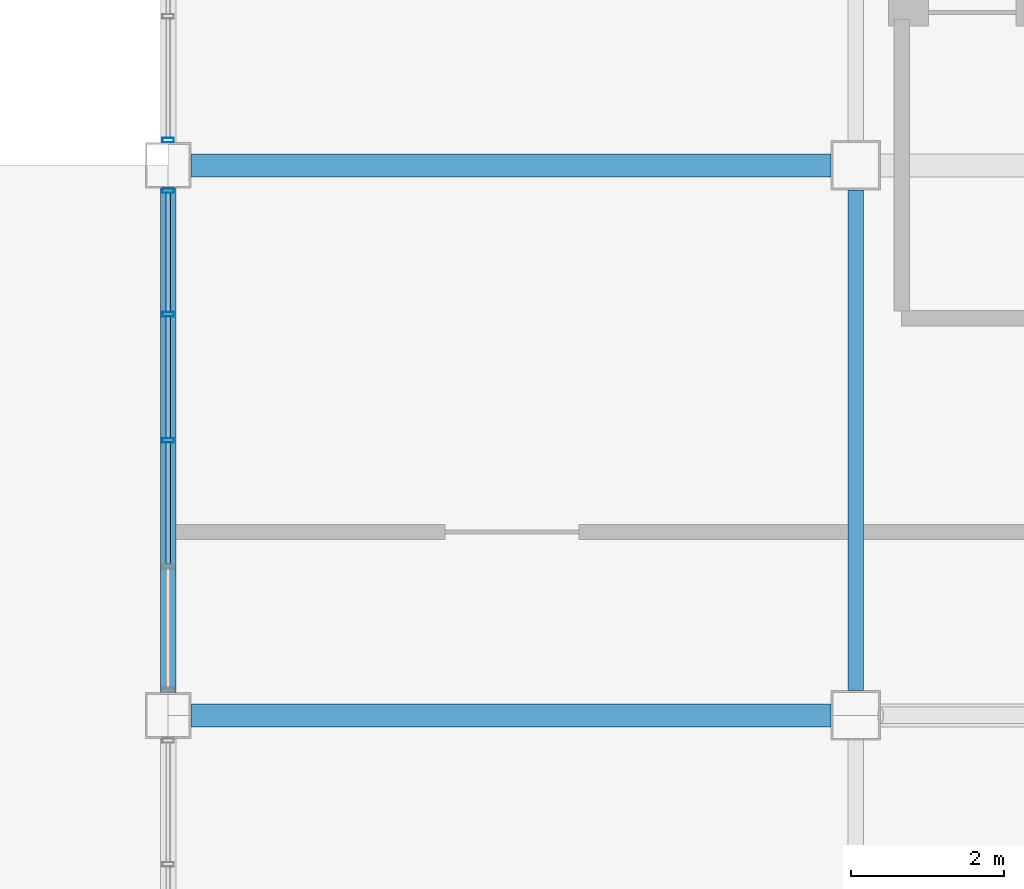
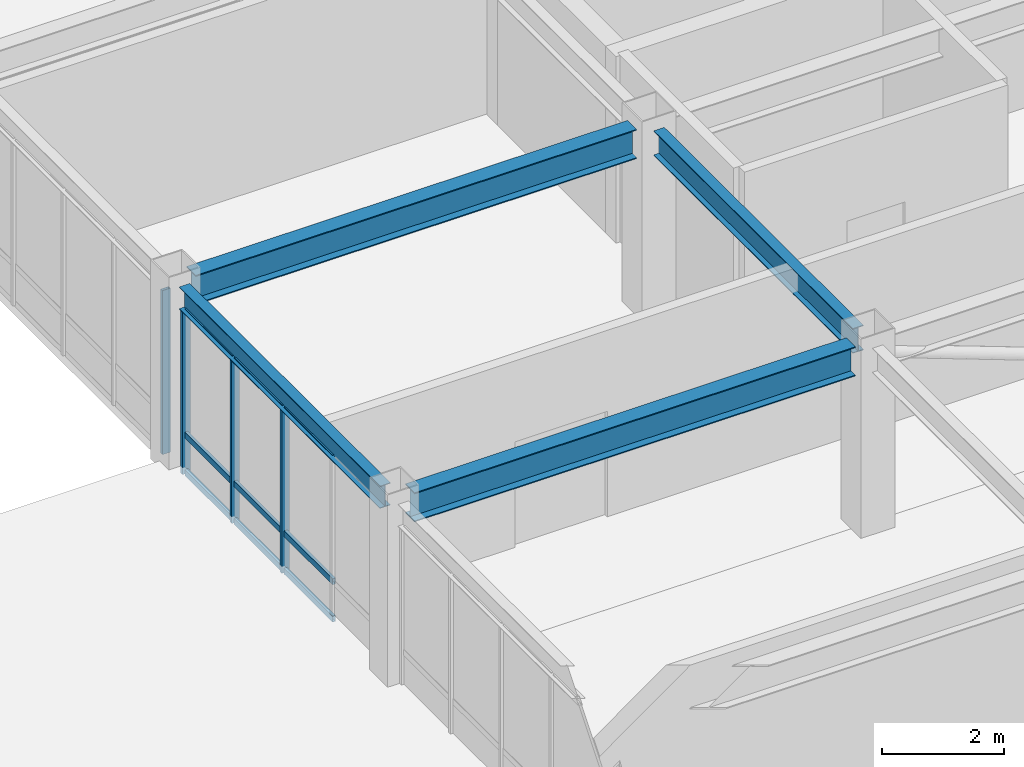
# One storey, part 76 of 113: 13 members, 4 beams, 2 elements without a shape of their own.
"""IFC4 building model written with IfcOpenShell, lengths in metres."""

import ifcopenshell
import ifcopenshell.guid

model = None  # the IFC model being written
_history = None  # IfcOwnerHistory: only IFC2X3 demands one
_inside = {}  # id of a spatial element -> (the spatial element, [elements in it])
_under = {}  # id of a project, library or spatial element -> (it, [spatial elements below it])
_declared = {}  # id of a project -> (the project, [libraries it declares])
_typed = {}  # id of a type object -> (the type object, [elements of that type])
_made_of = {}  # id of a material, layer set ... -> (it, [elements and type objects made of it])


def new_model(schema):
    """Start an empty IFC model of exactly this schema.

    Asked for "IFC4X3", IfcOpenShell would pick the latest addendum, in which some entities
    have other attributes; the version numbers below select the first issue.
    IFC2X3 requires an IfcOwnerHistory on every rooted entity: one is made here for all.
    """
    global model, _history
    if schema == "IFC4X3":
        model = ifcopenshell.file(schema_version=(4, 3, 0, 0))
    else:
        model = ifcopenshell.file(schema=schema)
    _inside.clear()
    _under.clear()
    _declared.clear()
    _typed.clear()
    _made_of.clear()
    _history = None
    if model.schema == "IFC2X3":
        org = make("IfcOrganization", Name="unknown")
        user = make(
            "IfcPersonAndOrganization",
            ThePerson=make("IfcPerson", FamilyName="unknown"),
            TheOrganization=org,
        )
        app = make(
            "IfcApplication",
            ApplicationDeveloper=org,
            Version="unknown",
            ApplicationFullName="unknown",
            ApplicationIdentifier="unknown",
        )
        _history = make(
            "IfcOwnerHistory",
            OwningUser=user,
            OwningApplication=app,
            ChangeAction="ADDED",
            CreationDate=0,
        )
    return model


def make(cls, **values):
    """One entity of the class cls with the attributes given. An attribute that is None is left unset."""
    return model.create_entity(
        cls, **{name: value for name, value in values.items() if value is not None}
    )


def rooted(cls, **values):
    """An entity with a GlobalId (a new one), such as an element, a storey or a relation."""
    return make(cls, GlobalId=ifcopenshell.guid.new(), OwnerHistory=_history, **values)


def si_unit(unit_type, name, prefix=None):
    """IfcSIUnit, for example si_unit("LENGTHUNIT", "METRE", prefix="MILLI")."""
    return make("IfcSIUnit", UnitType=unit_type, Prefix=prefix, Name=name)


def assignment(units):
    """IfcUnitAssignment: the units of a project."""
    return None if units is None else make("IfcUnitAssignment", Units=units)


def point(xyz):
    """IfcCartesianPoint."""
    return None if xyz is None else make("IfcCartesianPoint", Coordinates=xyz)


def direction(xyz):
    """IfcDirection."""
    return None if xyz is None else make("IfcDirection", DirectionRatios=xyz)


def frame(location, z_axis=None, x_axis=None):
    """IfcAxis2Placement3D, a coordinate frame: its origin and axes. An axis left out is left unset."""
    return make(
        "IfcAxis2Placement3D",
        Location=point(location),
        Axis=direction(z_axis),
        RefDirection=direction(x_axis),
    )


def frame_2d(location, x_axis=None):
    """IfcAxis2Placement2D, a coordinate frame in the plane: its origin and x axis."""
    return make(
        "IfcAxis2Placement2D", Location=point(location), RefDirection=direction(x_axis)
    )


def origin():
    """The frame at (0, 0, 0) with its axes left unset."""
    return frame((0.0, 0.0, 0.0))


def origin_2d():
    """The frame at (0, 0) in the plane with its x axis left unset."""
    return frame_2d((0.0, 0.0))


def place(relative_to, where):
    """IfcLocalPlacement: puts the frame where relative to a parent placement (None: the world)."""
    return make(
        "IfcLocalPlacement", PlacementRelTo=relative_to, RelativePlacement=where
    )


def context(
    kind, dimensions, precision=None, world=None, true_north=None, identifier=None
):
    """IfcGeometricRepresentationContext, for example the 3D "Model" context."""
    return make(
        "IfcGeometricRepresentationContext",
        ContextIdentifier=identifier,
        ContextType=kind,
        CoordinateSpaceDimension=dimensions,
        Precision=precision,
        WorldCoordinateSystem=world,
        TrueNorth=true_north,
    )


def subcontext(parent, identifier, kind, view, scale=None):
    """IfcGeometricRepresentationSubContext, for example "Body" below "Model"."""
    return make(
        "IfcGeometricRepresentationSubContext",
        ContextIdentifier=identifier,
        ContextType=kind,
        ParentContext=parent,
        TargetScale=scale,
        TargetView=view,
    )


def project(units=None, contexts=None):
    """IfcProject with its units and contexts."""
    return rooted(
        "IfcProject",
        Name="project",
        RepresentationContexts=contexts,
        UnitsInContext=assignment(units),
    )


def spatial(cls, under=None, at=None, **own):
    """A site, building, storey or space (cls), placed at a placement, below another one or the project."""
    s = rooted(cls, ObjectPlacement=at, **own)
    if under is not None:
        _under.setdefault(under.id(), (under, []))[1].append(s)
    return s


def profile(cls, at=None, kind="AREA", **sizes):
    """A parametric profile (cls). Its sizes go by their IFC names, for example OverallWidth=200.0."""
    return make(cls, ProfileType=kind, Position=at, **sizes)


def hollow_rectangle(**sizes):
    """IfcRectangleHollowProfileDef."""
    return profile("IfcRectangleHollowProfileDef", **sizes)


def i_section(**sizes):
    """IfcIShapeProfileDef."""
    return profile("IfcIShapeProfileDef", **sizes)


def extrude(swept, where, along, depth):
    """IfcExtrudedAreaSolid: the profile swept, set in the frame where, extruded along a direction by depth."""
    return make(
        "IfcExtrudedAreaSolid",
        SweptArea=swept,
        Position=where,
        ExtrudedDirection=direction(along),
        Depth=depth,
    )


def shape(context_of_items, identifier, shape_type, items):
    """IfcShapeRepresentation: the items that make up one representation, for example the "Body"."""
    return make(
        "IfcShapeRepresentation",
        ContextOfItems=context_of_items,
        RepresentationIdentifier=identifier,
        RepresentationType=shape_type,
        Items=items,
    )


def material(Name=None, Category=None):
    """IfcMaterial."""
    return make("IfcMaterial", Name=Name, Category=Category)


def material_profile(
    of_material, cross_section, Name=None, Category=None, Priority=None
):
    """IfcMaterialProfile: a cross section and its material."""
    return make(
        "IfcMaterialProfile",
        Name=Name,
        Material=of_material,
        Profile=cross_section,
        Priority=Priority,
        Category=Category,
    )


def profile_set(profiles, Name=None, composite=None):
    """IfcMaterialProfileSet."""
    return make(
        "IfcMaterialProfileSet",
        Name=Name,
        MaterialProfiles=profiles,
        CompositeProfile=composite,
    )


def made_of(thing, what):
    """Note that an element or type object is made of a material, layer set ...; save() writes the relation."""
    if what is not None:
        _made_of.setdefault(what.id(), (what, []))[1].append(thing)
    return thing


def type_object(cls, material=None, **own):
    """A type object (cls), such as IfcWallType, which elements share."""
    return made_of(rooted(cls, **own), material)


def element(
    cls,
    number,
    at=None,
    inside=None,
    cuts=None,
    type_object=None,
    material=None,
    context=None,
    identifier="Body",
    shape_type=None,
    held_by="IfcProductDefinitionShape",
    body=None,
    shapes=None,
    **own,
):
    """One element of the class cls, such as IfcWall. Its Tag is "e" and its number.

    at: its placement. inside: the storey or other place that contains it. cuts: it is an
    opening in that element (IfcRelVoidsElement). A single representation is given by context,
    identifier, shape_type and body (its items); several are given by shapes. held_by: the class
    of the entity that holds the representations. save() writes the other relations.
    """
    e = rooted(cls, Tag="e%d" % number, ObjectPlacement=at, **own)
    if body is not None:
        shapes = [shape(context, identifier, shape_type, body)]
    if shapes is not None:
        e.Representation = make(held_by, Representations=shapes)
    if inside is not None:
        _inside.setdefault(inside.id(), (inside, []))[1].append(e)
    if cuts is not None:
        rooted(
            "IfcRelVoidsElement", RelatingBuildingElement=cuts, RelatedOpeningElement=e
        )
    if type_object is not None:
        _typed.setdefault(type_object.id(), (type_object, []))[1].append(e)
    return made_of(e, material)


def aggregate(whole, parts):
    """IfcRelAggregates: a whole, such as a stair, and the parts it consists of."""
    return rooted("IfcRelAggregates", RelatingObject=whole, RelatedObjects=parts)


def save(model, path):
    """Write the relations noted so far, then the file.

    IfcRelAggregates (storeys below a building ...), IfcRelContainedInSpatialStructure (elements
    in a storey), IfcRelDefinesByType, IfcRelAssociatesMaterial and IfcRelDeclares: one each for
    every whole, place, type object, material and project.
    """
    for whole, parts in _under.values():
        aggregate(whole, parts)
    for where, things in _inside.values():
        rooted(
            "IfcRelContainedInSpatialStructure",
            RelatedElements=things,
            RelatingStructure=where,
        )
    for kind, things in _typed.values():
        rooted("IfcRelDefinesByType", RelatedObjects=things, RelatingType=kind)
    for what, things in _made_of.values():
        rooted("IfcRelAssociatesMaterial", RelatedObjects=things, RelatingMaterial=what)
    for by, libraries in _declared.values():
        rooted("IfcRelDeclares", RelatingContext=by, RelatedDefinitions=libraries)
    model.write(path)


model = new_model("IFC4")

# Units and contexts
model_context = context("Model", 3, precision=1e-05, world=origin(), true_north=direction((0.0, 1.0)))
body_context = subcontext(model_context, "Body", "Model", "MODEL_VIEW")
ifc_project = project(units=[si_unit("LENGTHUNIT", "METRE"), si_unit("AREAUNIT", "SQUARE_METRE"), si_unit("VOLUMEUNIT", "CUBIC_METRE"), si_unit("PLANEANGLEUNIT", "RADIAN"), si_unit("MASSUNIT", "GRAM", prefix="KILO")], contexts=[model_context])

# Site, building, storey
site_placement = place(None, origin())
site = spatial("IfcSite", under=ifc_project, at=site_placement, CompositionType="ELEMENT")
building_placement = place(site_placement, origin())
building = spatial("IfcBuilding", under=site, at=building_placement, Name="Kazanami Central Library", CompositionType="ELEMENT")
storey_placement = place(building_placement, frame((0.0, 0.0, 8.800048828125)))
storey = spatial("IfcBuildingStorey", under=building, at=storey_placement, Name="L03", CompositionType="ELEMENT", Elevation=8.800048828125)

# Beams
ifc_material_1 = material(Name="Steel SN490B (325 MPa)", Category="steel")
ifc_material_profile_1 = material_profile(ifc_material_1, i_section(OverallWidth=0.300048828125, OverallDepth=0.587890625, WebThickness=0.011962890625, FlangeThickness=0.02001953125, at=origin_2d()), Name="H-588x300x12x20")
ifc_profile_set_1 = profile_set([ifc_material_profile_1], Name="Steel SN490B (325 MPa)")
beam_type_1 = type_object("IfcBeamType", Name="BM-G-X2", PredefinedType="BEAM", material=ifc_profile_set_1)
for number, where, z_axis, x_axis, name in (
    (1, (117.298095703125, 72.0, 3.450927734375), (1.0, 0.0, 0.0), (0.0, 1.0, 0.0), "Girder G-X2 L03 L/14-15"),
    (2, (117.298095703125, 79.199951171875, 3.450927734375), (1.0, 0.0, 0.0), (0.0, 1.0, 0.0), "Girder G-X2 L03 M/14-15"),
):
    element("IfcBeam", number, at=place(storey_placement, frame(where, z_axis=z_axis, x_axis=x_axis)), inside=storey, type_object=beam_type_1, Name=name, PredefinedType="BEAM", context=body_context, shape_type="SweptSolid", body=[
        extrude(i_section(OverallWidth=0.300048828125, OverallDepth=0.587890625, WebThickness=0.011962890625, FlangeThickness=0.02001953125, at=origin_2d()), origin(), (0.0, 0.0, 1.0), 8.37890625),
    ])
ifc_material_profile_2 = material_profile(ifc_material_1, i_section(OverallWidth=0.199951171875, OverallDepth=0.5, WebThickness=0.010009765625, FlangeThickness=0.01611328125, at=origin_2d()), Name="H-500x200x10x16")
ifc_profile_set_2 = profile_set([ifc_material_profile_2], Name="Steel SN490B (325 MPa)")
beam_type_2 = type_object("IfcBeamType", Name="BM-G-Y2", PredefinedType="BEAM", material=ifc_profile_set_2)
beam_1_placement = place(storey_placement, frame((126.0, 72.322998046875, 3.494873046875), z_axis=(0.0, 1.0, 0.0), x_axis=(-1.0, 0.0, 0.0)))
element("IfcBeam", 3, at=beam_1_placement, inside=storey, type_object=beam_type_2, Name="Girder G-Y2 L03 15/L-M", PredefinedType="BEAM", context=body_context, shape_type="SweptSolid", body=[
    extrude(i_section(OverallWidth=0.199951171875, OverallDepth=0.5, WebThickness=0.010009765625, FlangeThickness=0.01611328125, at=origin_2d()), origin(), (0.0, 0.0, 1.0), 6.553955078125),
])
ifc_material_profile_3 = material_profile(ifc_material_1, i_section(OverallWidth=0.199951171875, OverallDepth=0.449951171875, WebThickness=0.009033203125, FlangeThickness=0.013916015625, at=origin_2d()), Name="H-450x200x9x14")
ifc_profile_set_3 = profile_set([ifc_material_profile_3], Name="Steel SN490B (325 MPa)")
beam_type_3 = type_object("IfcBeamType", Name="BM-SP-2", PredefinedType="SPANDREL", material=ifc_profile_set_3)
beam_2_placement = place(storey_placement, frame((117.0, 72.298095703125, 3.52001953125), z_axis=(0.0, 1.0, 0.0), x_axis=(-1.0, 0.0, 0.0)))
element("IfcBeam", 4, at=beam_2_placement, inside=storey, type_object=beam_type_3, Name="Girder SP-2 L03 14/L-M", PredefinedType="SPANDREL", context=body_context, shape_type="SweptSolid", body=[
    extrude(i_section(OverallWidth=0.199951171875, OverallDepth=0.449951171875, WebThickness=0.009033203125, FlangeThickness=0.013916015625, at=origin_2d()), origin(), (0.0, 0.0, 1.0), 6.60400390625),
])

# Curtain wall, members
ifc_material_2 = material(Name="Acid-Etched Low-E Laminated Glass", Category="glass")
curtain_wall_type = type_object("IfcCurtainWallType", Name="CW-6600x3295-M180", PredefinedType="USERDEFINED", material=ifc_material_2)
curtain_wall_1_placement = place(storey_placement, origin())
curtain_wall_1 = element("IfcCurtainWall", 5, at=curtain_wall_1_placement, inside=storey, type_object=curtain_wall_type, Name="Covered Link Bridge Curtain Wall CW-36 L03 W-14-10", ObjectType="UNITISED CURTAIN WALL", PredefinedType="USERDEFINED")
ifc_material_3 = material(Name="Anodised Aluminium A6063-T5", Category="aluminium")
ifc_material_profile_4 = material_profile(ifc_material_3, hollow_rectangle(XDim=0.06005859375, YDim=0.14990234375, WallThickness=0.00390625, at=origin_2d()), Name="ALU-MULL-60x150x4")
ifc_profile_set_4 = profile_set([ifc_material_profile_4], Name="Anodised Aluminium A6063-T5")
member_type_1 = type_object("IfcMemberType", Name="MEM-CW-M3", PredefinedType="MULLION", material=ifc_profile_set_4)
member_1_placement = place(storey_placement, frame((117.0, 75.60009765625, 0.0), z_axis=(0.0, 0.0, 1.0), x_axis=(0.0, 1.0, 0.0)))
member_1 = element("IfcMember", 6, at=member_1_placement, type_object=member_type_1, Name="CW-36 mullion 3", PredefinedType="MULLION", context=body_context, shape_type="SweptSolid", body=[
    extrude(hollow_rectangle(XDim=0.06005859375, YDim=0.14990234375, WallThickness=0.00390625, at=origin_2d()), origin(), (0.0, 0.0, 1.0), 3.294921875),
])
member_2_placement = place(storey_placement, frame((117.0, 77.25, 0.0), z_axis=(0.0, 0.0, 1.0), x_axis=(0.0, 1.0, 0.0)))
member_2 = element("IfcMember", 7, at=member_2_placement, type_object=member_type_1, Name="CW-36 mullion 4", PredefinedType="MULLION", context=body_context, shape_type="SweptSolid", body=[
    extrude(hollow_rectangle(XDim=0.06005859375, YDim=0.14990234375, WallThickness=0.00390625, at=origin_2d()), origin(), (0.0, 0.0, 1.0), 3.294921875),
])
member_3_placement = place(storey_placement, frame((117.0, 78.8701171875, 0.0), z_axis=(0.0, 0.0, 1.0), x_axis=(0.0, 1.0, 0.0)))
member_3 = element("IfcMember", 8, at=member_3_placement, type_object=member_type_1, Name="CW-36 mullion 5", PredefinedType="MULLION", context=body_context, shape_type="SweptSolid", body=[
    extrude(hollow_rectangle(XDim=0.06005859375, YDim=0.14990234375, WallThickness=0.00390625, at=origin_2d()), origin(), (0.0, 0.0, 1.0), 3.294921875),
])

# Curtain wall, member
curtain_wall_2_placement = place(storey_placement, origin())
curtain_wall_2 = element("IfcCurtainWall", 9, at=curtain_wall_2_placement, inside=storey, type_object=curtain_wall_type, Name="Covered Link Bridge Curtain Wall CW-36 L03 W-14-11", ObjectType="UNITISED CURTAIN WALL", PredefinedType="USERDEFINED")
member_4_placement = place(storey_placement, frame((117.0, 79.530029296875, 0.0), z_axis=(0.0, 0.0, 1.0), x_axis=(0.0, 1.0, 0.0)))
member_4 = element("IfcMember", 10, at=member_4_placement, type_object=member_type_1, Name="CW-36 mullion 1", PredefinedType="MULLION", context=body_context, shape_type="SweptSolid", body=[
    extrude(hollow_rectangle(XDim=0.06005859375, YDim=0.14990234375, WallThickness=0.00390625, at=origin_2d()), origin(), (0.0, 0.0, 1.0), 3.294921875),
])
aggregate(curtain_wall_2, [member_4])

# Member
ifc_material_profile_5 = material_profile(ifc_material_3, hollow_rectangle(XDim=0.06005859375, YDim=0.1201171875, WallThickness=0.00341796875, at=origin_2d()), Name="ALU-TRAN-60x120x3.5")
ifc_profile_set_5 = profile_set([ifc_material_profile_5], Name="Anodised Aluminium A6063-T5")
member_type_2 = type_object("IfcMemberType", Name="MEM-CW-T3", PredefinedType="USERDEFINED", material=ifc_profile_set_5)
member_5_placement = place(storey_placement, frame((117.0, 73.97998046875, 0.030029296875), z_axis=(0.0, 1.0, 0.0), x_axis=(-1.0, 0.0, 0.0)))
member_5 = element("IfcMember", 11, at=member_5_placement, type_object=member_type_2, Name="CW-36 transom 2.1", ObjectType="TRANSOM", PredefinedType="USERDEFINED", context=body_context, shape_type="SweptSolid", body=[
    extrude(hollow_rectangle(XDim=0.06005859375, YDim=0.1201171875, WallThickness=0.00341796875, at=origin_2d()), origin(), (0.0, 0.0, 1.0), 1.590087890625),
])

member_6_placement = place(storey_placement, frame((117.0, 73.97998046875, 0.780029296875), z_axis=(0.0, 1.0, 0.0), x_axis=(-1.0, 0.0, 0.0)))
member_6 = element("IfcMember", 12, at=member_6_placement, type_object=member_type_2, Name="CW-36 transom 2.2", ObjectType="TRANSOM", PredefinedType="USERDEFINED", context=body_context, shape_type="SweptSolid", body=[
    extrude(hollow_rectangle(XDim=0.06005859375, YDim=0.1201171875, WallThickness=0.00341796875, at=origin_2d()), origin(), (0.0, 0.0, 1.0), 1.590087890625),
])

member_7_placement = place(storey_placement, frame((117.0, 73.97998046875, 3.264892578125), z_axis=(0.0, 1.0, 0.0), x_axis=(-1.0, 0.0, 0.0)))
member_7 = element("IfcMember", 13, at=member_7_placement, type_object=member_type_2, Name="CW-36 transom 2.3", ObjectType="TRANSOM", PredefinedType="USERDEFINED", context=body_context, shape_type="SweptSolid", body=[
    extrude(hollow_rectangle(XDim=0.06005859375, YDim=0.1201171875, WallThickness=0.00341796875, at=origin_2d()), origin(), (0.0, 0.0, 1.0), 1.590087890625),
])

member_8_placement = place(storey_placement, frame((117.0, 75.6298828125, 0.030029296875), z_axis=(0.0, 1.0, 0.0), x_axis=(-1.0, 0.0, 0.0)))
member_8 = element("IfcMember", 14, at=member_8_placement, type_object=member_type_2, Name="CW-36 transom 3.1", ObjectType="TRANSOM", PredefinedType="USERDEFINED", context=body_context, shape_type="SweptSolid", body=[
    extrude(hollow_rectangle(XDim=0.06005859375, YDim=0.1201171875, WallThickness=0.00341796875, at=origin_2d()), origin(), (0.0, 0.0, 1.0), 1.590087890625),
])

member_9_placement = place(storey_placement, frame((117.0, 75.6298828125, 0.780029296875), z_axis=(0.0, 1.0, 0.0), x_axis=(-1.0, 0.0, 0.0)))
member_9 = element("IfcMember", 15, at=member_9_placement, type_object=member_type_2, Name="CW-36 transom 3.2", ObjectType="TRANSOM", PredefinedType="USERDEFINED", context=body_context, shape_type="SweptSolid", body=[
    extrude(hollow_rectangle(XDim=0.06005859375, YDim=0.1201171875, WallThickness=0.00341796875, at=origin_2d()), origin(), (0.0, 0.0, 1.0), 1.590087890625),
])

member_10_placement = place(storey_placement, frame((117.0, 75.6298828125, 3.264892578125), z_axis=(0.0, 1.0, 0.0), x_axis=(-1.0, 0.0, 0.0)))
member_10 = element("IfcMember", 16, at=member_10_placement, type_object=member_type_2, Name="CW-36 transom 3.3", ObjectType="TRANSOM", PredefinedType="USERDEFINED", context=body_context, shape_type="SweptSolid", body=[
    extrude(hollow_rectangle(XDim=0.06005859375, YDim=0.1201171875, WallThickness=0.00341796875, at=origin_2d()), origin(), (0.0, 0.0, 1.0), 1.590087890625),
])

member_11_placement = place(storey_placement, frame((117.0, 77.280029296875, 0.030029296875), z_axis=(0.0, 1.0, 0.0), x_axis=(-1.0, 0.0, 0.0)))
member_11 = element("IfcMember", 17, at=member_11_placement, type_object=member_type_2, Name="CW-36 transom 4.1", ObjectType="TRANSOM", PredefinedType="USERDEFINED", context=body_context, shape_type="SweptSolid", body=[
    extrude(hollow_rectangle(XDim=0.06005859375, YDim=0.1201171875, WallThickness=0.00341796875, at=origin_2d()), origin(), (0.0, 0.0, 1.0), 1.56005859375),
])

member_12_placement = place(storey_placement, frame((117.0, 77.280029296875, 0.780029296875), z_axis=(0.0, 1.0, 0.0), x_axis=(-1.0, 0.0, 0.0)))
member_12 = element("IfcMember", 18, at=member_12_placement, type_object=member_type_2, Name="CW-36 transom 4.2", ObjectType="TRANSOM", PredefinedType="USERDEFINED", context=body_context, shape_type="SweptSolid", body=[
    extrude(hollow_rectangle(XDim=0.06005859375, YDim=0.1201171875, WallThickness=0.00341796875, at=origin_2d()), origin(), (0.0, 0.0, 1.0), 1.56005859375),
])

member_13_placement = place(storey_placement, frame((117.0, 77.280029296875, 3.264892578125), z_axis=(0.0, 1.0, 0.0), x_axis=(-1.0, 0.0, 0.0)))
member_13 = element("IfcMember", 19, at=member_13_placement, type_object=member_type_2, Name="CW-36 transom 4.3", ObjectType="TRANSOM", PredefinedType="USERDEFINED", context=body_context, shape_type="SweptSolid", body=[
    extrude(hollow_rectangle(XDim=0.06005859375, YDim=0.1201171875, WallThickness=0.00341796875, at=origin_2d()), origin(), (0.0, 0.0, 1.0), 1.56005859375),
])

aggregate(curtain_wall_1, [member_1, member_2, member_3, member_5, member_6, member_7, member_8, member_9, member_10, member_11, member_12, member_13])

save(model, "model.ifc")
